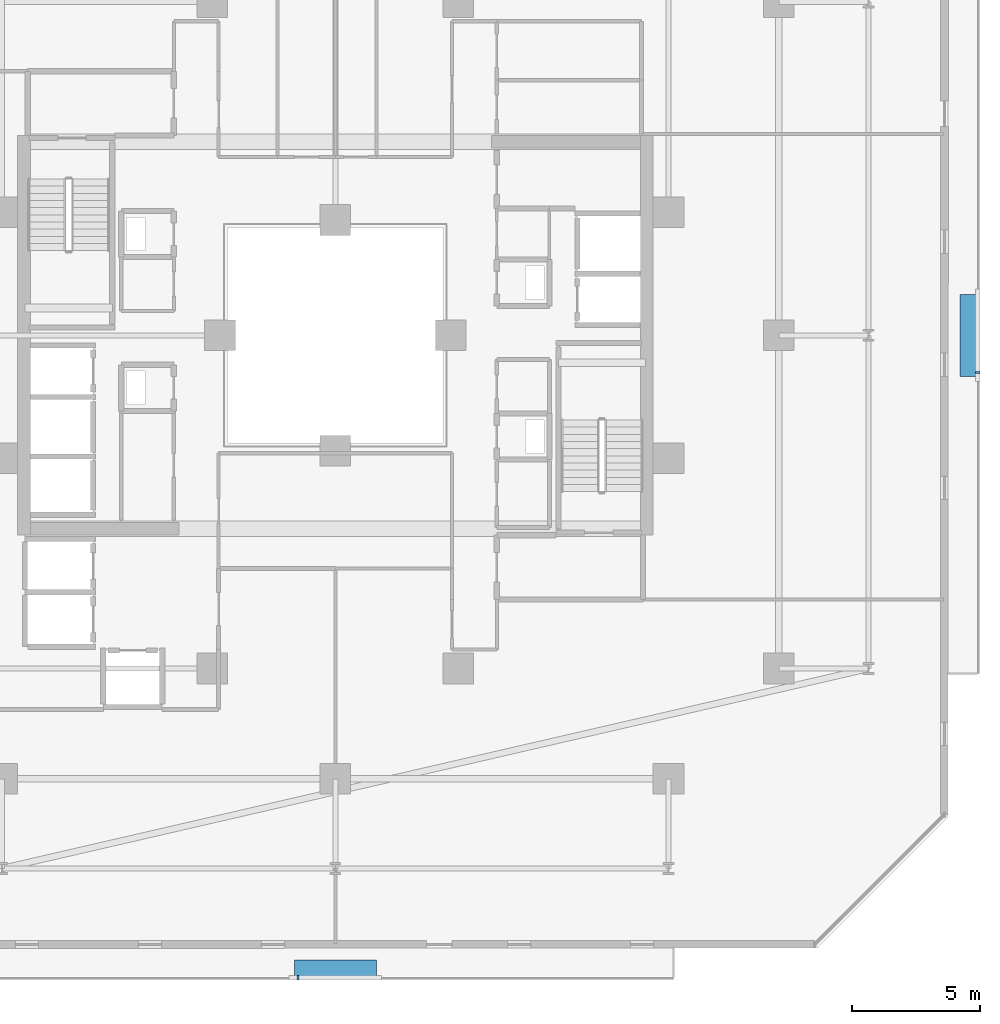
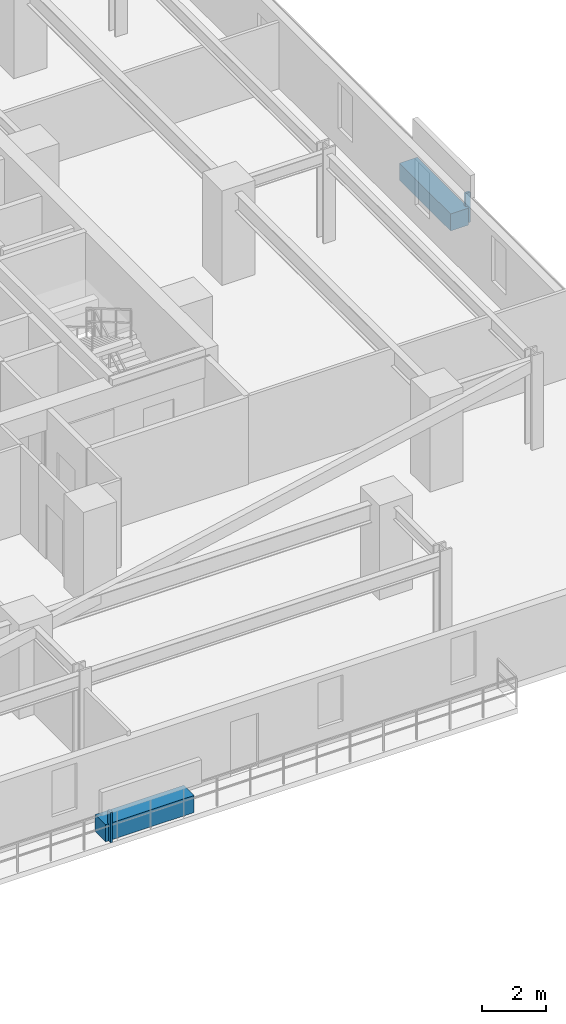
# One storey, part 28 of 33: 4 discrete accessories.
"""IFC4 building model written with IfcOpenShell, lengths in metres."""

from ifc_helpers import new_model, si_unit, direction, frame, origin, origin_2d, place, context, subcontext, project, spatial, rectangle, extrude, material, type_object, element, save


model = new_model("IFC4")

# Units and contexts
model_context = context("Model", 3, precision=1e-05, world=origin(), true_north=direction((0.0, 1.0)))
body_context = subcontext(model_context, "Body", "Model", "MODEL_VIEW")
ifc_project = project(units=[si_unit("LENGTHUNIT", "METRE"), si_unit("AREAUNIT", "SQUARE_METRE"), si_unit("VOLUMEUNIT", "CUBIC_METRE"), si_unit("PLANEANGLEUNIT", "RADIAN"), si_unit("MASSUNIT", "GRAM", prefix="KILO")], contexts=[model_context])

# Site, building, storey
site_placement = place(None, origin())
site = spatial("IfcSite", under=ifc_project, at=site_placement, CompositionType="ELEMENT")
building_placement = place(site_placement, origin())
building = spatial("IfcBuilding", under=site, at=building_placement, Name="Thornwick Lancets Civic Towers", CompositionType="ELEMENT")
storey_placement = place(building_placement, frame((0.0, 0.0, 134.10009765625)))
storey = spatial("IfcBuildingStorey", under=building, at=storey_placement, Name="L35", CompositionType="ELEMENT", Elevation=134.10009765625)

# Discrete accessories
ifc_material_1 = material(Name="Planted terracotta greenery planter", Category="masonry")
discrete_accessory_type_1 = type_object("IfcDiscreteAccessoryType", Name="ACC_PLANTER_BOX", PredefinedType="USERDEFINED", material=ifc_material_1)
discrete_accessory_1_placement = place(storey_placement, frame((88.5, 2.300048828125, 0.0), z_axis=(0.0, 0.0, 1.0), x_axis=(1.0, 0.0, 0.0)))
element("IfcDiscreteAccessory", 1, at=discrete_accessory_1_placement, inside=storey, type_object=discrete_accessory_type_1, Name="L35 Tower B Balcony Greenery Planter S", ObjectType="PLANTER", PredefinedType="USERDEFINED", context=body_context, shape_type="SweptSolid", body=[
    extrude(rectangle(XDim=3.199951171875, YDim=0.64990234375, at=origin_2d()), origin(), (0.0, 0.0, 1.0), 0.64990234375),
])
discrete_accessory_2_placement = place(storey_placement, frame((113.199951171875, 27.0, 0.0), z_axis=(0.0, 0.0, 1.0), x_axis=(1.0, 0.0, 0.0)))
element("IfcDiscreteAccessory", 2, at=discrete_accessory_2_placement, inside=storey, type_object=discrete_accessory_type_1, Name="L35 Tower B Balcony Greenery Planter E", ObjectType="PLANTER", PredefinedType="USERDEFINED", context=body_context, shape_type="SweptSolid", body=[
    extrude(rectangle(XDim=0.64990234375, YDim=3.199951171875, at=origin_2d()), origin(), (0.0, 0.0, 1.0), 0.64990234375),
])
ifc_material_2 = material(Name="Stainless steel S355", Category="steel")
discrete_accessory_type_2 = type_object("IfcDiscreteAccessoryType", Name="ACC_SCREEN_BRACKET", PredefinedType="BRACKET", material=ifc_material_2)
for number, where, z_axis, x_axis, name in (
    (3, (87.050048828125, 1.93994140625, 0.0), (0.0, 0.0, 1.0), (1.0, 0.0, 0.0), "L35 Tower B Balcony Screen Stanchion Bracket S-1"),
    (4, (113.56005859375, 25.550048828125, 0.0), (0.0, 0.0, 1.0), (0.0, 1.0, 0.0), "L35 Tower B Balcony Screen Stanchion Bracket E-1"),
):
    element("IfcDiscreteAccessory", number, at=place(storey_placement, frame(where, z_axis=z_axis, x_axis=x_axis)), inside=storey, type_object=discrete_accessory_type_2, Name=name, PredefinedType="BRACKET", context=body_context, shape_type="SweptSolid", body=[
        extrude(rectangle(XDim=0.080078125, YDim=0.179931640625, at=origin_2d()), origin(), (0.0, 0.0, 1.0), 1.14990234375),
    ])

save(model, "model.ifc")
